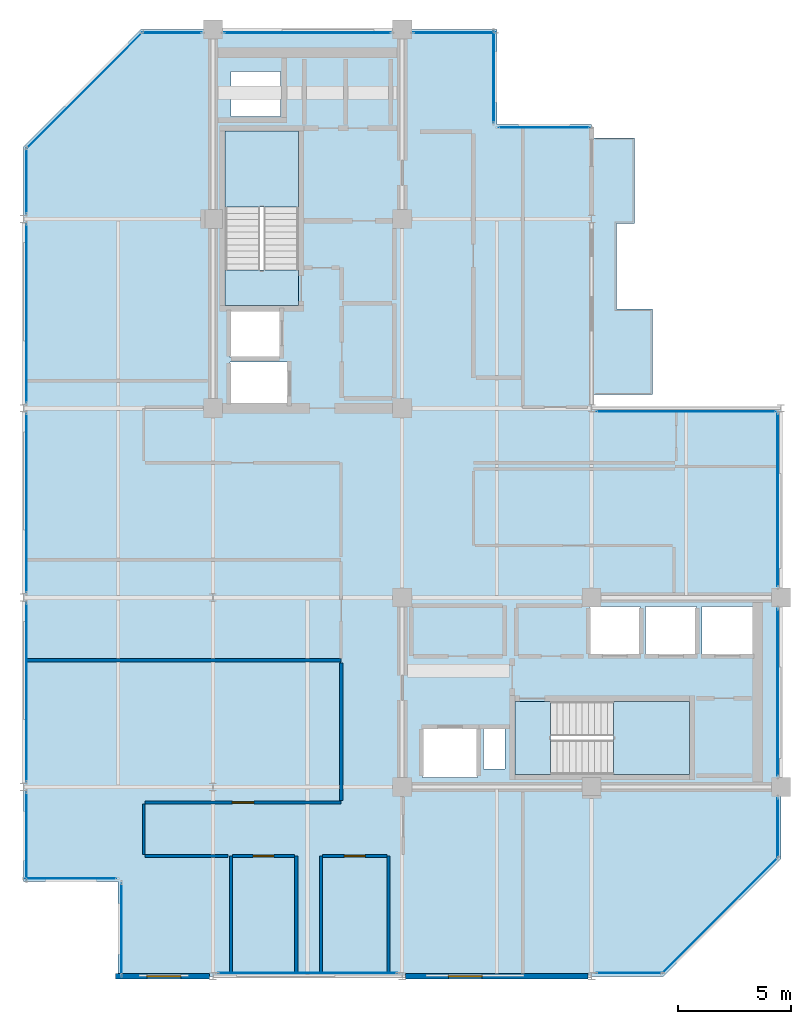
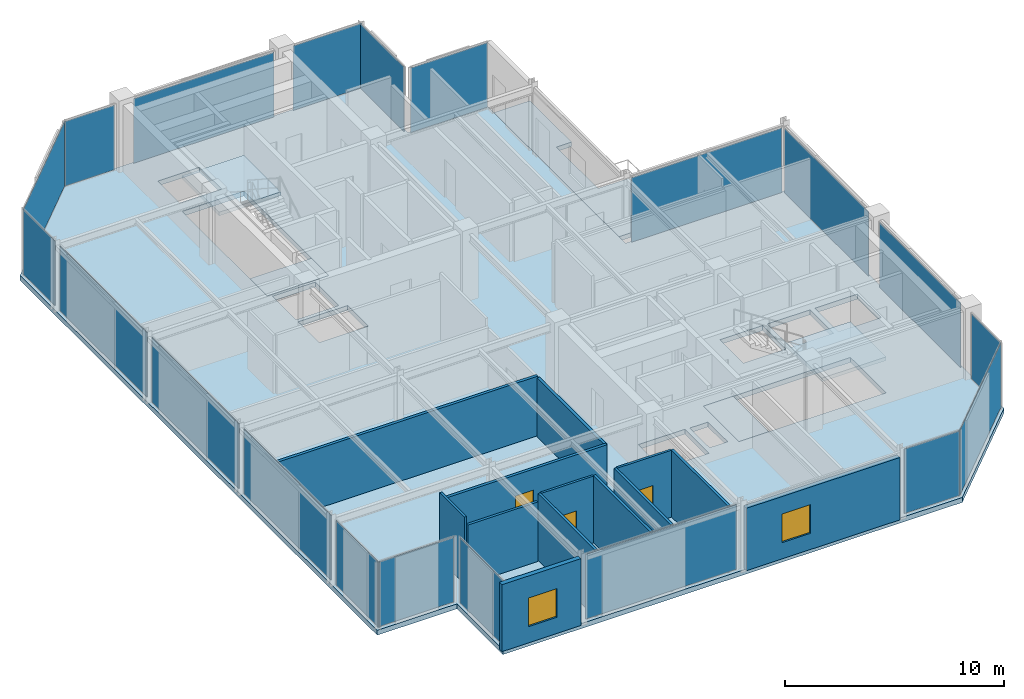
# One storey, part 19 of 24: 20 plates, 13 walls, 6 slabs, 3 doors, 2 windows, 5 openings, 22 elements without a shape of their own.
"""IFC4 building model written with IfcOpenShell, lengths in metres."""

from ifc_helpers import new_model, si_unit, direction, frame, frame_2d, origin, origin_2d, place, context, subcontext, project, spatial, polyline, rectangle, outline, extrude, material, layer, layer_set, type_object, element, fill, aggregate, save


model = new_model("IFC4")

# Units and contexts
model_context = context("Model", 3, precision=1e-05, world=origin(), true_north=direction((0.0, 1.0)))
body_context = subcontext(model_context, "Body", "Model", "MODEL_VIEW")
ifc_project = project(units=[si_unit("LENGTHUNIT", "METRE"), si_unit("AREAUNIT", "SQUARE_METRE"), si_unit("VOLUMEUNIT", "CUBIC_METRE"), si_unit("PLANEANGLEUNIT", "RADIAN"), si_unit("MASSUNIT", "GRAM", prefix="KILO")], contexts=[model_context])

# Site, building, storey
site_placement = place(None, origin())
site = spatial("IfcSite", under=ifc_project, at=site_placement, CompositionType="ELEMENT")
building_placement = place(site_placement, origin())
building = spatial("IfcBuilding", under=site, at=building_placement, Name="Nerrivon Quay Data Exchange", CompositionType="ELEMENT")
storey_placement = place(building_placement, frame((0.0, 0.0, 298.199951171875)))
storey = spatial("IfcBuildingStorey", under=building, at=storey_placement, Name="L71", CompositionType="ELEMENT", Elevation=298.199951171875)

# Curtain wall, plate
ifc_material_1 = material(Name="Anodised aluminium 6063-T6", Category="aluminium")
ifc_layer_1 = layer(ifc_material_1, 0.195068359375)
ifc_layer_set_1 = layer_set([ifc_layer_1], Name="Anodised aluminium 6063-T6")
curtain_wall_type = type_object("IfcCurtainWallType", Name="CW-SYS-06", PredefinedType="NOTDEFINED", material=ifc_layer_set_1)
curtain_wall_1_placement = place(storey_placement, origin())
curtain_wall_1 = element("IfcCurtainWall", 1, at=curtain_wall_1_placement, inside=storey, type_object=curtain_wall_type, Name="L71 Unitised Curtain Wall 1", PredefinedType="NOTDEFINED")
ifc_material_2 = material(Name="Double-glazed low-E solar control glass", Category="glass")
ifc_layer_2 = layer(ifc_material_2, 0.028076171875)
ifc_layer_set_2 = layer_set([ifc_layer_2], Name="Double-glazed low-E solar control glass")
plate_type = type_object("IfcPlateType", Name="CWP-GLZ-28", PredefinedType="CURTAIN_PANEL", material=ifc_layer_set_2)
plate_1_placement = place(storey_placement, frame((30.90087890625, 2.698974609375, 0.06494140625), z_axis=(0.0, 0.0, 1.0), x_axis=(-0.707106781187, -0.707106781187, 0.0)))
plate_1 = element("IfcPlate", 2, at=plate_1_placement, type_object=plate_type, Name="CW06 panel 1.1", PredefinedType="CURTAIN_PANEL", context=body_context, shape_type="SweptSolid", body=[
    extrude(rectangle(XDim=7.203857421875, YDim=0.028076171875, at=origin_2d()), origin(), (0.0, 0.0, 1.0), 3.594970703125),
])
aggregate(curtain_wall_1, [plate_1])

curtain_wall_2_placement = place(storey_placement, origin())
curtain_wall_2 = element("IfcCurtainWall", 3, at=curtain_wall_2_placement, inside=storey, type_object=curtain_wall_type, Name="L71 Unitised Curtain Wall 2", PredefinedType="NOTDEFINED")
plate_2_placement = place(storey_placement, frame((26.877685546875, 0.139892578125, 0.06494140625), z_axis=(0.0, 0.0, 1.0), x_axis=(-1.0, 0.0, 0.0)))
plate_2 = element("IfcPlate", 4, at=plate_2_placement, type_object=plate_type, Name="CW06 panel 1.1", PredefinedType="CURTAIN_PANEL", context=body_context, shape_type="SweptSolid", body=[
    extrude(rectangle(XDim=2.89453125, YDim=0.028076171875, at=origin_2d()), origin(), (0.0, 0.0, 1.0), 3.594970703125),
])
aggregate(curtain_wall_2, [plate_2])

curtain_wall_3_placement = place(storey_placement, origin())
curtain_wall_3 = element("IfcCurtainWall", 5, at=curtain_wall_3_placement, inside=storey, type_object=curtain_wall_type, Name="L71 Unitised Curtain Wall 4", PredefinedType="NOTDEFINED")
plate_3_placement = place(storey_placement, frame((12.60009765625, 0.139892578125, 0.06494140625), z_axis=(0.0, 0.0, 1.0), x_axis=(-1.0, 0.0, 0.0)))
plate_3 = element("IfcPlate", 6, at=plate_3_placement, type_object=plate_type, Name="CW06 panel 1.1", PredefinedType="CURTAIN_PANEL", context=body_context, shape_type="SweptSolid", body=[
    extrude(rectangle(XDim=7.93896484375, YDim=0.028076171875, at=origin_2d()), origin(), (0.0, 0.0, 1.0), 3.594970703125),
])
aggregate(curtain_wall_3, [plate_3])

curtain_wall_4_placement = place(storey_placement, origin())
curtain_wall_4 = element("IfcCurtainWall", 7, at=curtain_wall_4_placement, inside=storey, type_object=curtain_wall_type, Name="L71 Unitised Curtain Wall 6", PredefinedType="NOTDEFINED")
plate_4_placement = place(storey_placement, frame((4.340087890625, 2.10009765625, 0.06494140625), z_axis=(0.0, 0.0, 1.0), x_axis=(0.0, 1.0, 0.0)))
plate_4 = element("IfcPlate", 8, at=plate_4_placement, type_object=plate_type, Name="CW06 panel 1.1", PredefinedType="CURTAIN_PANEL", context=body_context, shape_type="SweptSolid", body=[
    extrude(rectangle(XDim=4.050048828125, YDim=0.028076171875, at=origin_2d()), origin(), (0.0, 0.0, 1.0), 3.594970703125),
])
aggregate(curtain_wall_4, [plate_4])

curtain_wall_5_placement = place(storey_placement, origin())
curtain_wall_5 = element("IfcCurtainWall", 9, at=curtain_wall_5_placement, inside=storey, type_object=curtain_wall_type, Name="L71 Unitised Curtain Wall 7", PredefinedType="NOTDEFINED")
plate_5_placement = place(storey_placement, frame((2.10009765625, 4.340087890625, 0.06494140625), z_axis=(0.0, 0.0, 1.0), x_axis=(-1.0, 0.0, 0.0)))
plate_5 = element("IfcPlate", 10, at=plate_5_placement, type_object=plate_type, Name="CW06 panel 1.1", PredefinedType="CURTAIN_PANEL", context=body_context, shape_type="SweptSolid", body=[
    extrude(rectangle(XDim=4.050048828125, YDim=0.028076171875, at=origin_2d()), origin(), (0.0, 0.0, 1.0), 3.594970703125),
])
aggregate(curtain_wall_5, [plate_5])

curtain_wall_6_placement = place(storey_placement, origin())
curtain_wall_6 = element("IfcCurtainWall", 11, at=curtain_wall_6_placement, inside=storey, type_object=curtain_wall_type, Name="L71 Unitised Curtain Wall 8", PredefinedType="NOTDEFINED")
plate_6_placement = place(storey_placement, frame((0.139892578125, 6.21826171875, 0.06494140625), z_axis=(0.0, 0.0, 1.0), x_axis=(0.0, 1.0, 0.0)))
plate_6 = element("IfcPlate", 12, at=plate_6_placement, type_object=plate_type, Name="CW06 panel 1.1", PredefinedType="CURTAIN_PANEL", context=body_context, shape_type="SweptSolid", body=[
    extrude(rectangle(XDim=3.886474609375, YDim=0.028076171875, at=origin_2d()), origin(), (0.0, 0.0, 1.0), 3.594970703125),
])
aggregate(curtain_wall_6, [plate_6])

curtain_wall_7_placement = place(storey_placement, origin())
curtain_wall_7 = element("IfcCurtainWall", 13, at=curtain_wall_7_placement, inside=storey, type_object=curtain_wall_type, Name="L71 Unitised Curtain Wall 9", PredefinedType="NOTDEFINED")
plate_7_placement = place(storey_placement, frame((0.139892578125, 12.60009765625, 0.06494140625), z_axis=(0.0, 0.0, 1.0), x_axis=(0.0, 1.0, 0.0)))
plate_7 = element("IfcPlate", 14, at=plate_7_placement, type_object=plate_type, Name="CW06 panel 1.1", PredefinedType="CURTAIN_PANEL", context=body_context, shape_type="SweptSolid", body=[
    extrude(rectangle(XDim=7.923095703125, YDim=0.028076171875, at=origin_2d()), origin(), (0.0, 0.0, 1.0), 3.594970703125),
])
aggregate(curtain_wall_7, [plate_7])

curtain_wall_8_placement = place(storey_placement, origin())
curtain_wall_8 = element("IfcCurtainWall", 15, at=curtain_wall_8_placement, inside=storey, type_object=curtain_wall_type, Name="L71 Unitised Curtain Wall 10", PredefinedType="NOTDEFINED")
plate_8_placement = place(storey_placement, frame((0.139892578125, 21.0, 0.06494140625), z_axis=(0.0, 0.0, 1.0), x_axis=(0.0, 1.0, 0.0)))
plate_8 = element("IfcPlate", 16, at=plate_8_placement, type_object=plate_type, Name="CW06 panel 1.1", PredefinedType="CURTAIN_PANEL", context=body_context, shape_type="SweptSolid", body=[
    extrude(rectangle(XDim=7.923095703125, YDim=0.028076171875, at=origin_2d()), origin(), (0.0, 0.0, 1.0), 3.594970703125),
])
aggregate(curtain_wall_8, [plate_8])

curtain_wall_9_placement = place(storey_placement, origin())
curtain_wall_9 = element("IfcCurtainWall", 17, at=curtain_wall_9_placement, inside=storey, type_object=curtain_wall_type, Name="L71 Unitised Curtain Wall 11", PredefinedType="NOTDEFINED")
plate_9_placement = place(storey_placement, frame((0.139892578125, 29.39990234375, 0.06494140625), z_axis=(0.0, 0.0, 1.0), x_axis=(0.0, 1.0, 0.0)))
plate_9 = element("IfcPlate", 18, at=plate_9_placement, type_object=plate_type, Name="CW06 panel 1.1", PredefinedType="CURTAIN_PANEL", context=body_context, shape_type="SweptSolid", body=[
    extrude(rectangle(XDim=7.923095703125, YDim=0.028076171875, at=origin_2d()), origin(), (0.0, 0.0, 1.0), 3.594970703125),
])
aggregate(curtain_wall_9, [plate_9])

curtain_wall_10_placement = place(storey_placement, origin())
curtain_wall_10 = element("IfcCurtainWall", 19, at=curtain_wall_10_placement, inside=storey, type_object=curtain_wall_type, Name="L71 Unitised Curtain Wall 12", PredefinedType="NOTDEFINED")
plate_10_placement = place(storey_placement, frame((0.139892578125, 35.28173828125, 0.06494140625), z_axis=(0.0, 0.0, 1.0), x_axis=(0.0, 1.0, 0.0)))
plate_10 = element("IfcPlate", 20, at=plate_10_placement, type_object=plate_type, Name="CW06 panel 1.1", PredefinedType="CURTAIN_PANEL", context=body_context, shape_type="SweptSolid", body=[
    extrude(rectangle(XDim=2.886474609375, YDim=0.028076171875, at=origin_2d()), origin(), (0.0, 0.0, 1.0), 3.594970703125),
])
aggregate(curtain_wall_10, [plate_10])

curtain_wall_11_placement = place(storey_placement, origin())
curtain_wall_11 = element("IfcCurtainWall", 21, at=curtain_wall_11_placement, inside=storey, type_object=curtain_wall_type, Name="L71 Unitised Curtain Wall 13", PredefinedType="NOTDEFINED")
plate_11_placement = place(storey_placement, frame((2.698974609375, 39.301025390625, 0.06494140625), z_axis=(0.0, 0.0, 1.0), x_axis=(0.707106781187, 0.707106781187, 0.0)))
plate_11 = element("IfcPlate", 22, at=plate_11_placement, type_object=plate_type, Name="CW06 panel 1.1", PredefinedType="CURTAIN_PANEL", context=body_context, shape_type="SweptSolid", body=[
    extrude(rectangle(XDim=7.203857421875, YDim=0.028076171875, at=origin_2d()), origin(), (0.0, 0.0, 1.0), 3.594970703125),
])
aggregate(curtain_wall_11, [plate_11])

curtain_wall_12_placement = place(storey_placement, origin())
curtain_wall_12 = element("IfcCurtainWall", 23, at=curtain_wall_12_placement, inside=storey, type_object=curtain_wall_type, Name="L71 Unitised Curtain Wall 14", PredefinedType="NOTDEFINED")
plate_12_placement = place(storey_placement, frame((6.58740234375, 41.860107421875, 0.06494140625), z_axis=(0.0, 0.0, 1.0), x_axis=(1.0, 0.0, 0.0)))
plate_12 = element("IfcPlate", 24, at=plate_12_placement, type_object=plate_type, Name="CW06 panel 1.1", PredefinedType="CURTAIN_PANEL", context=body_context, shape_type="SweptSolid", body=[
    extrude(rectangle(XDim=2.625, YDim=0.028076171875, at=origin_2d()), origin(), (0.0, 0.0, 1.0), 3.594970703125),
])
aggregate(curtain_wall_12, [plate_12])

curtain_wall_13_placement = place(storey_placement, origin())
curtain_wall_13 = element("IfcCurtainWall", 25, at=curtain_wall_13_placement, inside=storey, type_object=curtain_wall_type, Name="L71 Unitised Curtain Wall 15", PredefinedType="NOTDEFINED")
plate_13_placement = place(storey_placement, frame((12.60009765625, 41.860107421875, 0.06494140625), z_axis=(0.0, 0.0, 1.0), x_axis=(1.0, 0.0, 0.0)))
plate_13 = element("IfcPlate", 26, at=plate_13_placement, type_object=plate_type, Name="CW06 panel 1.1", PredefinedType="CURTAIN_PANEL", context=body_context, shape_type="SweptSolid", body=[
    extrude(rectangle(XDim=7.39990234375, YDim=0.028076171875, at=origin_2d()), origin(), (0.0, 0.0, 1.0), 3.594970703125),
])
aggregate(curtain_wall_13, [plate_13])

curtain_wall_14_placement = place(storey_placement, origin())
curtain_wall_14 = element("IfcCurtainWall", 27, at=curtain_wall_14_placement, inside=storey, type_object=curtain_wall_type, Name="L71 Unitised Curtain Wall 16", PredefinedType="NOTDEFINED")
plate_14_placement = place(storey_placement, frame((19.112548828125, 41.860107421875, 0.06494140625), z_axis=(0.0, 0.0, 1.0), x_axis=(1.0, 0.0, 0.0)))
plate_14 = element("IfcPlate", 28, at=plate_14_placement, type_object=plate_type, Name="CW06 panel 1.1", PredefinedType="CURTAIN_PANEL", context=body_context, shape_type="SweptSolid", body=[
    extrude(rectangle(XDim=3.625, YDim=0.028076171875, at=origin_2d()), origin(), (0.0, 0.0, 1.0), 3.594970703125),
])
aggregate(curtain_wall_14, [plate_14])

curtain_wall_15_placement = place(storey_placement, origin())
curtain_wall_15 = element("IfcCurtainWall", 29, at=curtain_wall_15_placement, inside=storey, type_object=curtain_wall_type, Name="L71 Unitised Curtain Wall 17", PredefinedType="NOTDEFINED")
plate_15_placement = place(storey_placement, frame((20.860107421875, 39.89990234375, 0.06494140625), z_axis=(0.0, 0.0, 1.0), x_axis=(0.0, -1.0, 0.0)))
plate_15 = element("IfcPlate", 30, at=plate_15_placement, type_object=plate_type, Name="CW06 panel 1.1", PredefinedType="CURTAIN_PANEL", context=body_context, shape_type="SweptSolid", body=[
    extrude(rectangle(XDim=4.050048828125, YDim=0.028076171875, at=origin_2d()), origin(), (0.0, 0.0, 1.0), 3.594970703125),
])
aggregate(curtain_wall_15, [plate_15])

curtain_wall_16_placement = place(storey_placement, origin())
curtain_wall_16 = element("IfcCurtainWall", 31, at=curtain_wall_16_placement, inside=storey, type_object=curtain_wall_type, Name="L71 Unitised Curtain Wall 18", PredefinedType="NOTDEFINED")
plate_16_placement = place(storey_placement, frame((23.10009765625, 37.659912109375, 0.06494140625), z_axis=(0.0, 0.0, 1.0), x_axis=(1.0, 0.0, 0.0)))
plate_16 = element("IfcPlate", 32, at=plate_16_placement, type_object=plate_type, Name="CW06 panel 1.1", PredefinedType="CURTAIN_PANEL", context=body_context, shape_type="SweptSolid", body=[
    extrude(rectangle(XDim=4.050048828125, YDim=0.028076171875, at=origin_2d()), origin(), (0.0, 0.0, 1.0), 3.594970703125),
])
aggregate(curtain_wall_16, [plate_16])

curtain_wall_17_placement = place(storey_placement, origin())
curtain_wall_17 = element("IfcCurtainWall", 33, at=curtain_wall_17_placement, inside=storey, type_object=curtain_wall_type, Name="L71 Unitised Curtain Wall 21", PredefinedType="NOTDEFINED")
plate_17_placement = place(storey_placement, frame((29.39990234375, 25.06005859375, 0.06494140625), z_axis=(0.0, 0.0, 1.0), x_axis=(1.0, 0.0, 0.0)))
plate_17 = element("IfcPlate", 34, at=plate_17_placement, type_object=plate_type, Name="CW06 panel 1.1", PredefinedType="CURTAIN_PANEL", context=body_context, shape_type="SweptSolid", body=[
    extrude(rectangle(XDim=7.93896484375, YDim=0.028076171875, at=origin_2d()), origin(), (0.0, 0.0, 1.0), 3.594970703125),
])
aggregate(curtain_wall_17, [plate_17])

curtain_wall_18_placement = place(storey_placement, origin())
curtain_wall_18 = element("IfcCurtainWall", 35, at=curtain_wall_18_placement, inside=storey, type_object=curtain_wall_type, Name="L71 Unitised Curtain Wall 22", PredefinedType="NOTDEFINED")
plate_18_placement = place(storey_placement, frame((33.4599609375, 21.130859375, 0.06494140625), z_axis=(0.0, 0.0, 1.0), x_axis=(0.0, -1.0, 0.0)))
plate_18 = element("IfcPlate", 36, at=plate_18_placement, type_object=plate_type, Name="CW06 panel 1.1", PredefinedType="CURTAIN_PANEL", context=body_context, shape_type="SweptSolid", body=[
    extrude(rectangle(XDim=7.66162109375, YDim=0.028076171875, at=origin_2d()), origin(), (0.0, 0.0, 1.0), 3.594970703125),
])
aggregate(curtain_wall_18, [plate_18])

curtain_wall_19_placement = place(storey_placement, origin())
curtain_wall_19 = element("IfcCurtainWall", 37, at=curtain_wall_19_placement, inside=storey, type_object=curtain_wall_type, Name="L71 Unitised Curtain Wall 23", PredefinedType="NOTDEFINED")
plate_19_placement = place(storey_placement, frame((33.4599609375, 12.60009765625, 0.06494140625), z_axis=(0.0, 0.0, 1.0), x_axis=(0.0, -1.0, 0.0)))
plate_19 = element("IfcPlate", 38, at=plate_19_placement, type_object=plate_type, Name="CW06 panel 1.1", PredefinedType="CURTAIN_PANEL", context=body_context, shape_type="SweptSolid", body=[
    extrude(rectangle(XDim=7.39990234375, YDim=0.028076171875, at=origin_2d()), origin(), (0.0, 0.0, 1.0), 3.594970703125),
])
aggregate(curtain_wall_19, [plate_19])

curtain_wall_20_placement = place(storey_placement, origin())
curtain_wall_20 = element("IfcCurtainWall", 39, at=curtain_wall_20_placement, inside=storey, type_object=curtain_wall_type, Name="L71 Unitised Curtain Wall 24", PredefinedType="NOTDEFINED")
plate_20_placement = place(storey_placement, frame((33.4599609375, 6.58740234375, 0.06494140625), z_axis=(0.0, 0.0, 1.0), x_axis=(0.0, -1.0, 0.0)))
plate_20 = element("IfcPlate", 40, at=plate_20_placement, type_object=plate_type, Name="CW06 panel 1.1", PredefinedType="CURTAIN_PANEL", context=body_context, shape_type="SweptSolid", body=[
    extrude(rectangle(XDim=2.625, YDim=0.028076171875, at=origin_2d()), origin(), (0.0, 0.0, 1.0), 3.594970703125),
])
aggregate(curtain_wall_20, [plate_20])

# Slab
ifc_material_3 = material(Name="Precast white architectural concrete N50 (50 MPa)", Category="concrete")
ifc_layer_3 = layer(ifc_material_3, 0.25)
ifc_layer_set_3 = layer_set([ifc_layer_3], Name="Precast white architectural concrete N50 (50 MPa)")
slab_type_1 = type_object("IfcSlabType", Name="SLB-BAL-250", PredefinedType="FLOOR", material=ifc_layer_set_3)
slab_1_placement = place(storey_placement, frame((0.0, 0.0, -0.25)))
element("IfcSlab", 41, at=slab_1_placement, inside=storey, type_object=slab_type_1, Name="L71 Waterfront Subtropical Verandah", PredefinedType="FLOOR", context=body_context, shape_type="SweptSolid", body=[
    extrude(outline(polyline([(26.300048828125, 29.60009765625), (26.300048828125, 33.39990234375), (27.10009765625, 33.39990234375), (27.10009765625, 37.199951171875), (25.199951171875, 37.199951171875), (25.199951171875, 33.39990234375), (25.199951171875, 29.60009765625), (25.199951171875, 25.800048828125), (27.89990234375, 25.800048828125), (27.89990234375, 29.60009765625), (26.300048828125, 29.60009765625)])), origin(), (0.0, 0.0, 1.0), 0.25),
])

# Stair, slab
ifc_material_4 = material(Name="Concrete N50 (50 MPa)", Category="concrete")
stair_type = type_object("IfcStairType", Name="STAIR-DOG-40", PredefinedType="HALF_TURN_STAIR", material=ifc_material_4)
stair_1_placement = place(storey_placement, origin())
stair_1 = element("IfcStair", 42, at=stair_1_placement, inside=storey, type_object=stair_type, Name="L71 West Core Fire Stair ST01", PredefinedType="HALF_TURN_STAIR")
ifc_layer_4 = layer(ifc_material_4, 0.199951171875)
ifc_layer_set_4 = layer_set([ifc_layer_4], Name="Concrete N50 (50 MPa)")
slab_type_2 = type_object("IfcSlabType", Name="SLB-LAND-200", PredefinedType="LANDING", material=ifc_layer_set_4)
slab_2_placement = place(storey_placement, frame((0.0, 0.0, 1.800048828125)))
slab_2 = element("IfcSlab", 43, at=slab_2_placement, type_object=slab_type_2, Name="ST01 landing 1", PredefinedType="LANDING", context=body_context, shape_type="SweptSolid", body=[
    extrude(outline(polyline([(12.199951171875, 34.1298828125), (12.199951171875, 37.5), (8.949951171875, 37.5), (8.949951171875, 34.1298828125), (12.199951171875, 34.1298828125)])), origin(), (0.0, 0.0, 1.0), 0.199951171875),
])
aggregate(stair_1, [slab_2])

# Slab
slab_3_placement = place(storey_placement, frame((0.0, 0.0, -0.199951171875)))
element("IfcSlab", 44, at=slab_3_placement, inside=storey, type_object=slab_type_2, Name="L71 ST01 floor landing", PredefinedType="LANDING", context=body_context, shape_type="SweptSolid", body=[
    extrude(outline(polyline([(12.199951171875, 29.75), (12.199951171875, 31.330078125), (8.949951171875, 31.330078125), (8.949951171875, 29.75), (12.199951171875, 29.75)])), origin(), (0.0, 0.0, 1.0), 0.199951171875),
])

# Stair, slab
stair_2_placement = place(storey_placement, origin())
stair_2 = element("IfcStair", 45, at=stair_2_placement, inside=storey, type_object=stair_type, Name="L71 East Core Fire Stair ST02", PredefinedType="HALF_TURN_STAIR")
slab_4_placement = place(storey_placement, frame((0.0, 0.0, 1.800048828125)))
slab_4 = element("IfcSlab", 46, at=slab_4_placement, type_object=slab_type_2, Name="ST02 landing 1", PredefinedType="LANDING", context=body_context, shape_type="SweptSolid", body=[
    extrude(outline(polyline([(26.179931640625, 8.949951171875), (29.550048828125, 8.949951171875), (29.550048828125, 12.199951171875), (26.179931640625, 12.199951171875), (26.179931640625, 8.949951171875)])), origin(), (0.0, 0.0, 1.0), 0.199951171875),
])
aggregate(stair_2, [slab_4])

# Slabs
slab_5_placement = place(storey_placement, frame((0.0, 0.0, -0.199951171875)))
element("IfcSlab", 47, at=slab_5_placement, inside=storey, type_object=slab_type_2, Name="L71 ST02 floor landing", PredefinedType="LANDING", context=body_context, shape_type="SweptSolid", body=[
    extrude(outline(polyline([(21.800048828125, 8.949951171875), (23.3798828125, 8.949951171875), (23.3798828125, 12.199951171875), (21.800048828125, 12.199951171875), (21.800048828125, 8.949951171875)])), origin(), (0.0, 0.0, 1.0), 0.199951171875),
])
ifc_layer_5 = layer(ifc_material_4, 0.27490234375)
ifc_layer_set_5 = layer_set([ifc_layer_5], Name="Concrete N50 (50 MPa)")
slab_type_3 = type_object("IfcSlabType", Name="SLB-TOW-275", PredefinedType="FLOOR", material=ifc_layer_set_5)
slab_6_placement = place(storey_placement, frame((0.0, 0.0, -0.27490234375)))
element("IfcSlab", 48, at=slab_6_placement, inside=storey, type_object=slab_type_3, Name="L71 Primary Structural Slab", PredefinedType="FLOOR", context=body_context, shape_type="SweptSolid", body=[
    extrude(outline(polyline([(33.60009765625, 25.199951171875), (25.199951171875, 25.199951171875), (25.199951171875, 37.800048828125), (21.0, 37.800048828125), (21.0, 42.0), (5.199951171875, 42.0), (0.0, 36.800048828125), (0.0, 4.199951171875), (4.199951171875, 4.199951171875), (4.199951171875, 0.0), (28.39990234375, 0.0), (33.60009765625, 5.199951171875), (33.60009765625, 25.199951171875)]), holes=[polyline([(8.949951171875, 29.75), (8.949951171875, 37.5), (12.199951171875, 37.5), (12.199951171875, 29.75), (8.949951171875, 29.75)]), polyline([(21.800048828125, 12.199951171875), (29.550048828125, 12.199951171875), (29.550048828125, 8.949951171875), (21.800048828125, 8.949951171875), (21.800048828125, 12.199951171875)]), polyline([(30.10009765625, 14.25), (30.10009765625, 16.39990234375), (32.35009765625, 16.39990234375), (32.35009765625, 14.25), (30.10009765625, 14.25)]), polyline([(27.60009765625, 14.25), (27.60009765625, 16.39990234375), (29.85009765625, 16.39990234375), (29.85009765625, 14.25), (27.60009765625, 14.25)]), polyline([(25.10009765625, 14.25), (25.10009765625, 16.39990234375), (27.35009765625, 16.39990234375), (27.35009765625, 14.25), (25.10009765625, 14.25)]), polyline([(20.39990234375, 9.199951171875), (20.39990234375, 11.0), (21.35009765625, 11.0), (21.35009765625, 9.199951171875), (20.39990234375, 9.199951171875)]), polyline([(17.699951171875, 8.830078125), (17.699951171875, 11.030029296875), (20.14990234375, 11.030029296875), (20.14990234375, 8.830078125), (17.699951171875, 8.830078125)]), polyline([(9.14990234375, 25.35009765625), (9.14990234375, 27.25), (11.75, 27.25), (11.75, 25.35009765625), (9.14990234375, 25.35009765625)]), polyline([(9.14990234375, 27.449951171875), (9.14990234375, 29.60009765625), (11.39990234375, 29.60009765625), (11.39990234375, 27.449951171875), (9.14990234375, 27.449951171875)]), polyline([(9.199951171875, 38.14990234375), (9.199951171875, 40.14990234375), (11.39990234375, 40.14990234375), (11.39990234375, 38.14990234375), (9.199951171875, 38.14990234375)])]), origin(), (0.0, 0.0, 1.0), 0.27490234375),
])

# Wall, opening, window
ifc_material_5 = material(Name="Architectural terracotta precast concrete N50 (50 MPa)", Category="masonry")
ifc_layer_6 = layer(ifc_material_5, 0.239990234375)
ifc_layer_set_6 = layer_set([ifc_layer_6], Name="Architectural terracotta precast concrete N50 (50 MPa)")
wall_type_1 = type_object("IfcWallType", Name="EW-PREC-240", PredefinedType="STANDARD", material=ifc_layer_set_6)
wall_1_placement = place(storey_placement, frame((25.04443359375, 0.0, 0.0), z_axis=(0.0, 0.0, 1.0), x_axis=(-1.0, 0.0, 0.0)))
wall_1 = element("IfcWall", 49, at=wall_1_placement, inside=storey, type_object=wall_type_1, Name="L71 Podium Precast Spandrel Wall 3", PredefinedType="STANDARD", context=body_context, shape_type="SweptSolid", body=[
    extrude(rectangle(XDim=8.0888671875, YDim=0.239990234375, at=frame_2d((4.04443359375, 0.0))), origin(), (0.0, 0.0, 1.0), 3.47509765625),
])
opening_1_placement = place(wall_1_placement, frame((4.69970703125, 0.0, 0.89990234375)))
opening_1 = element("IfcOpeningElement", 50, at=opening_1_placement, cuts=wall_1, Name="Opening WN4", PredefinedType="OPENING", context=body_context, shape_type="SweptSolid", body=[
    extrude(rectangle(XDim=1.5, YDim=1.60009765625, at=frame_2d((0.75, 0.800048828125))), frame((0.0, 0.1298828125, 0.0), z_axis=(0.0, -1.0, 0.0), x_axis=(1.0, 0.0, 0.0)), (0.0, 0.0, 1.0), 0.260009765625),
])
window_type = type_object("IfcWindowType", Name="WIN-W4-1500x1600", PartitioningType="SINGLE_PANEL", PredefinedType="WINDOW", material=ifc_material_2)
window_1_placement = place(opening_1_placement, origin())
window_1 = element("IfcWindow", 51, at=window_1_placement, inside=storey, type_object=window_type, Name="L71 Solar Facade Window 3", OverallHeight=1.60009765625, OverallWidth=1.5, PartitioningType="SINGLE_PANEL", PredefinedType="WINDOW", context=body_context, shape_type="SweptSolid", body=[
    extrude(rectangle(XDim=1.5, YDim=1.60009765625, at=frame_2d((0.75, 0.800048828125))), frame((0.0, 0.030029296875, 0.0), z_axis=(0.0, -1.0, 0.0), x_axis=(1.0, 0.0, 0.0)), (0.0, 0.0, 1.0), 0.06005859375),
])
fill(opening_1, window_1)

wall_2_placement = place(storey_placement, frame((8.244384765625, 0.0, 0.0), z_axis=(0.0, 0.0, 1.0), x_axis=(-1.0, 0.0, 0.0)))
wall_2 = element("IfcWall", 52, at=wall_2_placement, inside=storey, type_object=wall_type_1, Name="L71 Podium Precast Spandrel Wall 5", PredefinedType="STANDARD", context=body_context, shape_type="SweptSolid", body=[
    extrude(rectangle(XDim=4.164306640625, YDim=0.239990234375, at=frame_2d((2.08203125, 0.0))), origin(), (0.0, 0.0, 1.0), 3.72509765625),
])
opening_2_placement = place(wall_2_placement, frame((1.267333984375, 0.0, 0.89990234375)))
opening_2 = element("IfcOpeningElement", 53, at=opening_2_placement, cuts=wall_2, Name="Opening WN4", PredefinedType="OPENING", context=body_context, shape_type="SweptSolid", body=[
    extrude(rectangle(XDim=1.5, YDim=1.60009765625, at=frame_2d((0.75, 0.800048828125))), frame((0.0, 0.1298828125, 0.0), z_axis=(0.0, -1.0, 0.0), x_axis=(1.0, 0.0, 0.0)), (0.0, 0.0, 1.0), 0.260009765625),
])
window_2_placement = place(opening_2_placement, origin())
window_2 = element("IfcWindow", 54, at=window_2_placement, inside=storey, type_object=window_type, Name="L71 Solar Facade Window 5", OverallHeight=1.60009765625, OverallWidth=1.5, PartitioningType="SINGLE_PANEL", PredefinedType="WINDOW", context=body_context, shape_type="SweptSolid", body=[
    extrude(rectangle(XDim=1.5, YDim=1.60009765625, at=frame_2d((0.75, 0.800048828125))), frame((0.0, 0.030029296875, 0.0), z_axis=(0.0, -1.0, 0.0), x_axis=(1.0, 0.0, 0.0)), (0.0, 0.0, 1.0), 0.06005859375),
])
fill(opening_2, window_2)

# Wall, opening, door
ifc_material_6 = material(Name="Gypsum plasterboard on cold-formed framing", Category="gypsum")
ifc_layer_7 = layer(ifc_material_6, 0.1201171875)
ifc_layer_set_7 = layer_set([ifc_layer_7], Name="Gypsum plasterboard on cold-formed framing")
wall_type_2 = type_object("IfcWallType", Name="WALL-PT-120", PredefinedType="PARTITIONING", material=ifc_layer_set_7)
wall_3_placement = place(storey_placement, frame((16.12841796875, 5.340087890625, 0.0), z_axis=(0.0, 0.0, 1.0), x_axis=(-1.0, 0.0, 0.0)))
wall_3 = element("IfcWall", 55, at=wall_3_placement, inside=storey, type_object=wall_type_2, Name="L71 Partition Accessible Toilet", PredefinedType="PARTITIONING", context=body_context, shape_type="SweptSolid", body=[
    extrude(rectangle(XDim=2.85693359375, YDim=0.1201171875, at=frame_2d((1.428466796875, 0.0))), origin(), (0.0, 0.0, 1.0), 3.72509765625),
])
opening_3_placement = place(wall_3_placement, frame((0.968505859375, 0.0, 0.0)))
opening_3 = element("IfcOpeningElement", 56, at=opening_3_placement, cuts=wall_3, Name="Opening D-WC", PredefinedType="OPENING", context=body_context, shape_type="SweptSolid", body=[
    extrude(rectangle(XDim=0.919921875, YDim=2.10009765625, at=frame_2d((0.4599609375, 1.050048828125))), frame((0.0, 0.070068359375, 0.0), z_axis=(0.0, -1.0, 0.0), x_axis=(1.0, 0.0, 0.0)), (0.0, 0.0, 1.0), 0.14013671875),
])
ifc_material_7 = material(Name="Engineered hardwood timber", Category="wood")
door_type_1 = type_object("IfcDoorType", Name="DR-WC-920", OperationType="NOTDEFINED", PredefinedType="DOOR", material=ifc_material_7)
door_1_placement = place(opening_3_placement, origin())
door_1 = element("IfcDoor", 57, at=door_1_placement, inside=storey, type_object=door_type_1, Name="L71 Door Accessible Toilet", OperationType="SINGLE_SWING_RIGHT", OverallHeight=2.10009765625, OverallWidth=0.919921875, PredefinedType="DOOR", context=body_context, shape_type="SweptSolid", body=[
    extrude(rectangle(XDim=0.919921875, YDim=2.10009765625, at=frame_2d((0.4599609375, 1.050048828125))), frame((0.0, 0.02490234375, 0.0), z_axis=(0.0, -1.0, 0.0), x_axis=(1.0, 0.0, 0.0)), (0.0, 0.0, 1.0), 0.050048828125),
])
fill(opening_3, door_1)

wall_4_placement = place(storey_placement, frame((12.028564453125, 5.340087890625, 0.0), z_axis=(0.0, 0.0, 1.0), x_axis=(-1.0, 0.0, 0.0)))
wall_4 = element("IfcWall", 58, at=wall_4_placement, inside=storey, type_object=wall_type_2, Name="L71 Partition Public Washrooms", PredefinedType="PARTITIONING", context=body_context, shape_type="SweptSolid", body=[
    extrude(rectangle(XDim=2.757080078125, YDim=0.1201171875, at=frame_2d((1.37841796875, 0.0))), origin(), (0.0, 0.0, 1.0), 3.72509765625),
])
opening_4_placement = place(wall_4_placement, frame((0.91845703125, 0.0, 0.0)))
opening_4 = element("IfcOpeningElement", 59, at=opening_4_placement, cuts=wall_4, Name="Opening D-WC", PredefinedType="OPENING", context=body_context, shape_type="SweptSolid", body=[
    extrude(rectangle(XDim=0.919921875, YDim=2.10009765625, at=frame_2d((0.4599609375, 1.050048828125))), frame((0.0, 0.070068359375, 0.0), z_axis=(0.0, -1.0, 0.0), x_axis=(1.0, 0.0, 0.0)), (0.0, 0.0, 1.0), 0.14013671875),
])
door_2_placement = place(opening_4_placement, origin())
door_2 = element("IfcDoor", 60, at=door_2_placement, inside=storey, type_object=door_type_1, Name="L71 Door Public Washrooms", OperationType="SINGLE_SWING_LEFT", OverallHeight=2.10009765625, OverallWidth=0.919921875, PredefinedType="DOOR", context=body_context, shape_type="SweptSolid", body=[
    extrude(rectangle(XDim=0.919921875, YDim=2.10009765625, at=frame_2d((0.4599609375, 1.050048828125))), frame((0.0, 0.02490234375, 0.0), z_axis=(0.0, -1.0, 0.0), x_axis=(1.0, 0.0, 0.0)), (0.0, 0.0, 1.0), 0.050048828125),
])
fill(opening_4, door_2)

# Walls
wall_5_placement = place(storey_placement, frame((5.340087890625, 5.39990234375, 0.0), z_axis=(0.0, 0.0, 1.0), x_axis=(0.0, 1.0, 0.0)))
element("IfcWall", 61, at=wall_5_placement, inside=storey, type_object=wall_type_2, Name="L71 Partition Staff Bistro", PredefinedType="PARTITIONING", context=body_context, shape_type="SweptSolid", body=[
    extrude(rectangle(XDim=2.25, YDim=0.1201171875, at=frame_2d((1.125, 0.0))), origin(), (0.0, 0.0, 1.0), 3.72509765625),
])
ifc_layer_8 = layer(ifc_material_6, 0.135009765625)
ifc_layer_set_8 = layer_set([ifc_layer_8], Name="Gypsum plasterboard on cold-formed framing")
wall_type_3 = type_object("IfcWallType", Name="WALL-PT-135", PredefinedType="PARTITIONING", material=ifc_layer_set_8)
for number, where, z_axis, x_axis, name in (
    (62, (13.199951171875, 5.340087890625, 0.0), (0.0, 0.0, 1.0), (0.0, -1.0, 0.0), "L71 Partition Accessible Toilet"),
    (63, (16.199951171875, 0.1689453125, 0.0), (0.0, 0.0, 1.0), (0.0, 1.0, 0.0), "L71 Partition Accessible Toilet"),
    (64, (9.199951171875, 5.340087890625, 0.0), (0.0, 0.0, 1.0), (0.0, -1.0, 0.0), "L71 Partition Public Washrooms"),
    (65, (12.10009765625, 0.1689453125, 0.0), (0.0, 0.0, 1.0), (0.0, 1.0, 0.0), "L71 Partition Public Washrooms"),
):
    element("IfcWall", number, at=place(storey_placement, frame(where, z_axis=z_axis, x_axis=x_axis)), inside=storey, type_object=wall_type_3, Name=name, PredefinedType="PARTITIONING", context=body_context, shape_type="SweptSolid", body=[
        extrude(rectangle(XDim=5.171142578125, YDim=0.135009765625, at=frame_2d((2.58544921875, 0.0))), origin(), (0.0, 0.0, 1.0), 3.72509765625),
    ])
wall_6_placement = place(storey_placement, frame((9.080078125, 5.340087890625, 0.0), z_axis=(0.0, 0.0, 1.0), x_axis=(-1.0, 0.0, 0.0)))
element("IfcWall", 66, at=wall_6_placement, inside=storey, type_object=wall_type_3, Name="L71 Partition Staff Bistro", PredefinedType="PARTITIONING", context=body_context, shape_type="SweptSolid", body=[
    extrude(rectangle(XDim=3.68017578125, YDim=0.135009765625, at=frame_2d((1.840087890625, 0.0))), origin(), (0.0, 0.0, 1.0), 3.319091796875),
])
ifc_layer_9 = layer(ifc_material_6, 0.14990234375)
ifc_layer_set_9 = layer_set([ifc_layer_9], Name="Gypsum plasterboard on cold-formed framing")
wall_type_4 = type_object("IfcWallType", Name="WALL-PT-150", PredefinedType="PARTITIONING", material=ifc_layer_set_9)
wall_7_placement = place(storey_placement, frame((0.1689453125, 14.016845703125, 0.0), z_axis=(0.0, 0.0, 1.0), x_axis=(1.0, 0.0, 0.0)))
element("IfcWall", 67, at=wall_7_placement, inside=storey, type_object=wall_type_4, Name="L71 Partition Staff Tea Pantry", PredefinedType="PARTITIONING", context=body_context, shape_type="SweptSolid", body=[
    extrude(rectangle(XDim=13.921142578125, YDim=0.14990234375, at=frame_2d((6.96044921875, 0.0))), origin(), (0.0, 0.0, 1.0), 3.319091796875),
])

# Wall, opening, door
wall_8_placement = place(storey_placement, frame((5.39990234375, 7.7099609375, 0.0), z_axis=(0.0, 0.0, 1.0), x_axis=(1.0, 0.0, 0.0)))
wall_8 = element("IfcWall", 68, at=wall_8_placement, inside=storey, type_object=wall_type_4, Name="L71 Partition Staff Bistro", PredefinedType="PARTITIONING", context=body_context, shape_type="SweptSolid", body=[
    extrude(rectangle(XDim=8.690185546875, YDim=0.14990234375, at=frame_2d((4.34521484375, 0.0))), origin(), (0.0, 0.0, 1.0), 3.319091796875),
])
opening_5_placement = place(wall_8_placement, frame((3.8701171875, 0.0, 0.0)))
opening_5 = element("IfcOpeningElement", 69, at=opening_5_placement, cuts=wall_8, Name="Opening D-01", PredefinedType="OPENING", context=body_context, shape_type="SweptSolid", body=[
    extrude(rectangle(XDim=0.949951171875, YDim=2.14990234375, at=frame_2d((0.47509765625, 1.074951171875))), frame((0.0, 0.0849609375, 0.0), z_axis=(0.0, -1.0, 0.0), x_axis=(1.0, 0.0, 0.0)), (0.0, 0.0, 1.0), 0.169921875),
])
door_type_2 = type_object("IfcDoorType", Name="DR-INT-950", OperationType="NOTDEFINED", PredefinedType="DOOR", material=ifc_material_7)
door_3_placement = place(opening_5_placement, origin())
door_3 = element("IfcDoor", 70, at=door_3_placement, inside=storey, type_object=door_type_2, Name="L71 Door Staff Bistro", OperationType="SINGLE_SWING_LEFT", OverallHeight=2.14990234375, OverallWidth=0.949951171875, PredefinedType="DOOR", context=body_context, shape_type="SweptSolid", body=[
    extrude(rectangle(XDim=0.949951171875, YDim=2.14990234375, at=frame_2d((0.47509765625, 1.074951171875))), frame((0.0, 0.02490234375, 0.0), z_axis=(0.0, -1.0, 0.0), x_axis=(1.0, 0.0, 0.0)), (0.0, 0.0, 1.0), 0.050048828125),
])
fill(opening_5, door_3)

# Wall
wall_9_placement = place(storey_placement, frame((14.090087890625, 7.7890625, 0.0), z_axis=(0.0, 0.0, 1.0), x_axis=(0.0, 1.0, 0.0)))
element("IfcWall", 71, at=wall_9_placement, inside=storey, type_object=wall_type_4, Name="L71 Partition Staff Bistro", PredefinedType="PARTITIONING", context=body_context, shape_type="SweptSolid", body=[
    extrude(rectangle(XDim=6.10791015625, YDim=0.14990234375, at=frame_2d((3.053955078125, 0.0))), origin(), (0.0, 0.0, 1.0), 3.27099609375),
])

save(model, "model.ifc")
